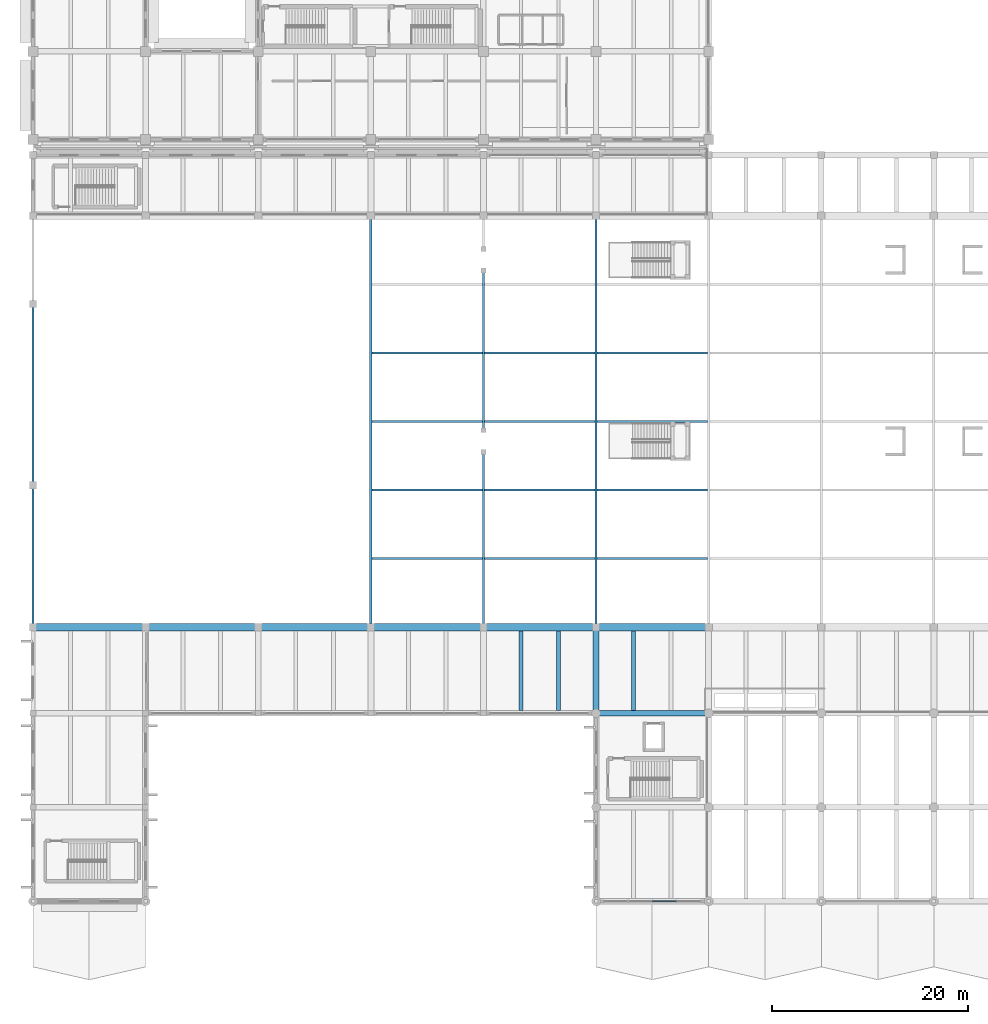
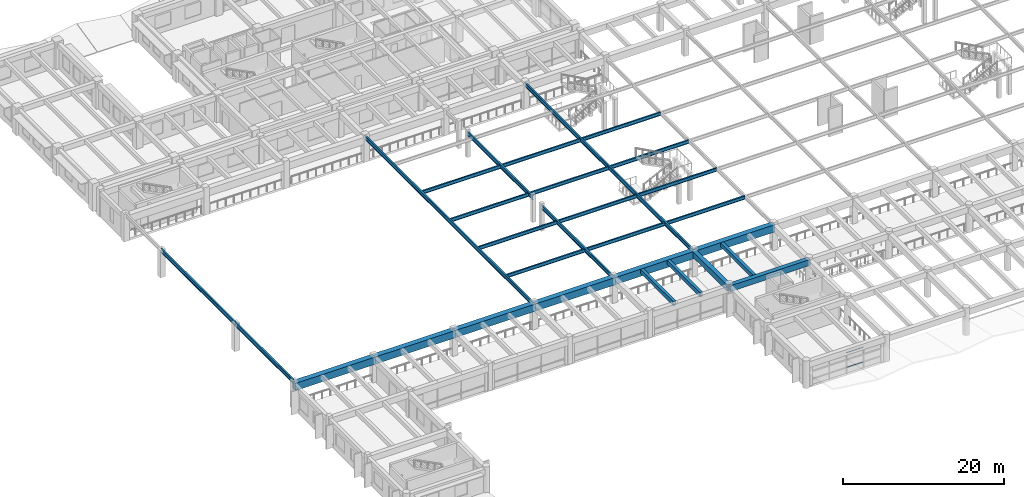
# One storey, part 15 of 98: 29 beams, 2 members, 1 element without a shape of its own.
"""IFC4 building model written with IfcOpenShell, lengths in metres."""

import ifcopenshell
import ifcopenshell.guid

model = None  # the IFC model being written
_history = None  # IfcOwnerHistory: only IFC2X3 demands one
_inside = {}  # id of a spatial element -> (the spatial element, [elements in it])
_under = {}  # id of a project, library or spatial element -> (it, [spatial elements below it])
_declared = {}  # id of a project -> (the project, [libraries it declares])
_typed = {}  # id of a type object -> (the type object, [elements of that type])
_made_of = {}  # id of a material, layer set ... -> (it, [elements and type objects made of it])


def new_model(schema):
    """Start an empty IFC model of exactly this schema.

    Asked for "IFC4X3", IfcOpenShell would pick the latest addendum, in which some entities
    have other attributes; the version numbers below select the first issue.
    IFC2X3 requires an IfcOwnerHistory on every rooted entity: one is made here for all.
    """
    global model, _history
    if schema == "IFC4X3":
        model = ifcopenshell.file(schema_version=(4, 3, 0, 0))
    else:
        model = ifcopenshell.file(schema=schema)
    _inside.clear()
    _under.clear()
    _declared.clear()
    _typed.clear()
    _made_of.clear()
    _history = None
    if model.schema == "IFC2X3":
        org = make("IfcOrganization", Name="unknown")
        user = make(
            "IfcPersonAndOrganization",
            ThePerson=make("IfcPerson", FamilyName="unknown"),
            TheOrganization=org,
        )
        app = make(
            "IfcApplication",
            ApplicationDeveloper=org,
            Version="unknown",
            ApplicationFullName="unknown",
            ApplicationIdentifier="unknown",
        )
        _history = make(
            "IfcOwnerHistory",
            OwningUser=user,
            OwningApplication=app,
            ChangeAction="ADDED",
            CreationDate=0,
        )
    return model


def make(cls, **values):
    """One entity of the class cls with the attributes given. An attribute that is None is left unset."""
    return model.create_entity(
        cls, **{name: value for name, value in values.items() if value is not None}
    )


def rooted(cls, **values):
    """An entity with a GlobalId (a new one), such as an element, a storey or a relation."""
    return make(cls, GlobalId=ifcopenshell.guid.new(), OwnerHistory=_history, **values)


def si_unit(unit_type, name, prefix=None):
    """IfcSIUnit, for example si_unit("LENGTHUNIT", "METRE", prefix="MILLI")."""
    return make("IfcSIUnit", UnitType=unit_type, Prefix=prefix, Name=name)


def assignment(units):
    """IfcUnitAssignment: the units of a project."""
    return None if units is None else make("IfcUnitAssignment", Units=units)


def point(xyz):
    """IfcCartesianPoint."""
    return None if xyz is None else make("IfcCartesianPoint", Coordinates=xyz)


def direction(xyz):
    """IfcDirection."""
    return None if xyz is None else make("IfcDirection", DirectionRatios=xyz)


def frame(location, z_axis=None, x_axis=None):
    """IfcAxis2Placement3D, a coordinate frame: its origin and axes. An axis left out is left unset."""
    return make(
        "IfcAxis2Placement3D",
        Location=point(location),
        Axis=direction(z_axis),
        RefDirection=direction(x_axis),
    )


def frame_2d(location, x_axis=None):
    """IfcAxis2Placement2D, a coordinate frame in the plane: its origin and x axis."""
    return make(
        "IfcAxis2Placement2D", Location=point(location), RefDirection=direction(x_axis)
    )


def origin():
    """The frame at (0, 0, 0) with its axes left unset."""
    return frame((0.0, 0.0, 0.0))


def origin_2d():
    """The frame at (0, 0) in the plane with its x axis left unset."""
    return frame_2d((0.0, 0.0))


def place(relative_to, where):
    """IfcLocalPlacement: puts the frame where relative to a parent placement (None: the world)."""
    return make(
        "IfcLocalPlacement", PlacementRelTo=relative_to, RelativePlacement=where
    )


def context(
    kind, dimensions, precision=None, world=None, true_north=None, identifier=None
):
    """IfcGeometricRepresentationContext, for example the 3D "Model" context."""
    return make(
        "IfcGeometricRepresentationContext",
        ContextIdentifier=identifier,
        ContextType=kind,
        CoordinateSpaceDimension=dimensions,
        Precision=precision,
        WorldCoordinateSystem=world,
        TrueNorth=true_north,
    )


def subcontext(parent, identifier, kind, view, scale=None):
    """IfcGeometricRepresentationSubContext, for example "Body" below "Model"."""
    return make(
        "IfcGeometricRepresentationSubContext",
        ContextIdentifier=identifier,
        ContextType=kind,
        ParentContext=parent,
        TargetScale=scale,
        TargetView=view,
    )


def project(units=None, contexts=None):
    """IfcProject with its units and contexts."""
    return rooted(
        "IfcProject",
        Name="project",
        RepresentationContexts=contexts,
        UnitsInContext=assignment(units),
    )


def spatial(cls, under=None, at=None, **own):
    """A site, building, storey or space (cls), placed at a placement, below another one or the project."""
    s = rooted(cls, ObjectPlacement=at, **own)
    if under is not None:
        _under.setdefault(under.id(), (under, []))[1].append(s)
    return s


def profile(cls, at=None, kind="AREA", **sizes):
    """A parametric profile (cls). Its sizes go by their IFC names, for example OverallWidth=200.0."""
    return make(cls, ProfileType=kind, Position=at, **sizes)


def rectangle(**sizes):
    """IfcRectangleProfileDef."""
    return profile("IfcRectangleProfileDef", **sizes)


def hollow_rectangle(**sizes):
    """IfcRectangleHollowProfileDef."""
    return profile("IfcRectangleHollowProfileDef", **sizes)


def i_section(**sizes):
    """IfcIShapeProfileDef."""
    return profile("IfcIShapeProfileDef", **sizes)


def extrude(swept, where, along, depth):
    """IfcExtrudedAreaSolid: the profile swept, set in the frame where, extruded along a direction by depth."""
    return make(
        "IfcExtrudedAreaSolid",
        SweptArea=swept,
        Position=where,
        ExtrudedDirection=direction(along),
        Depth=depth,
    )


def shape(context_of_items, identifier, shape_type, items):
    """IfcShapeRepresentation: the items that make up one representation, for example the "Body"."""
    return make(
        "IfcShapeRepresentation",
        ContextOfItems=context_of_items,
        RepresentationIdentifier=identifier,
        RepresentationType=shape_type,
        Items=items,
    )


def material(Name=None, Category=None):
    """IfcMaterial."""
    return make("IfcMaterial", Name=Name, Category=Category)


def material_profile(
    of_material, cross_section, Name=None, Category=None, Priority=None
):
    """IfcMaterialProfile: a cross section and its material."""
    return make(
        "IfcMaterialProfile",
        Name=Name,
        Material=of_material,
        Profile=cross_section,
        Priority=Priority,
        Category=Category,
    )


def profile_set(profiles, Name=None, composite=None):
    """IfcMaterialProfileSet."""
    return make(
        "IfcMaterialProfileSet",
        Name=Name,
        MaterialProfiles=profiles,
        CompositeProfile=composite,
    )


def made_of(thing, what):
    """Note that an element or type object is made of a material, layer set ...; save() writes the relation."""
    if what is not None:
        _made_of.setdefault(what.id(), (what, []))[1].append(thing)
    return thing


def type_object(cls, material=None, **own):
    """A type object (cls), such as IfcWallType, which elements share."""
    return made_of(rooted(cls, **own), material)


def element(
    cls,
    number,
    at=None,
    inside=None,
    cuts=None,
    type_object=None,
    material=None,
    context=None,
    identifier="Body",
    shape_type=None,
    held_by="IfcProductDefinitionShape",
    body=None,
    shapes=None,
    **own,
):
    """One element of the class cls, such as IfcWall. Its Tag is "e" and its number.

    at: its placement. inside: the storey or other place that contains it. cuts: it is an
    opening in that element (IfcRelVoidsElement). A single representation is given by context,
    identifier, shape_type and body (its items); several are given by shapes. held_by: the class
    of the entity that holds the representations. save() writes the other relations.
    """
    e = rooted(cls, Tag="e%d" % number, ObjectPlacement=at, **own)
    if body is not None:
        shapes = [shape(context, identifier, shape_type, body)]
    if shapes is not None:
        e.Representation = make(held_by, Representations=shapes)
    if inside is not None:
        _inside.setdefault(inside.id(), (inside, []))[1].append(e)
    if cuts is not None:
        rooted(
            "IfcRelVoidsElement", RelatingBuildingElement=cuts, RelatedOpeningElement=e
        )
    if type_object is not None:
        _typed.setdefault(type_object.id(), (type_object, []))[1].append(e)
    return made_of(e, material)


def aggregate(whole, parts):
    """IfcRelAggregates: a whole, such as a stair, and the parts it consists of."""
    return rooted("IfcRelAggregates", RelatingObject=whole, RelatedObjects=parts)


def save(model, path):
    """Write the relations noted so far, then the file.

    IfcRelAggregates (storeys below a building ...), IfcRelContainedInSpatialStructure (elements
    in a storey), IfcRelDefinesByType, IfcRelAssociatesMaterial and IfcRelDeclares: one each for
    every whole, place, type object, material and project.
    """
    for whole, parts in _under.values():
        aggregate(whole, parts)
    for where, things in _inside.values():
        rooted(
            "IfcRelContainedInSpatialStructure",
            RelatedElements=things,
            RelatingStructure=where,
        )
    for kind, things in _typed.values():
        rooted("IfcRelDefinesByType", RelatedObjects=things, RelatingType=kind)
    for what, things in _made_of.values():
        rooted("IfcRelAssociatesMaterial", RelatedObjects=things, RelatingMaterial=what)
    for by, libraries in _declared.values():
        rooted("IfcRelDeclares", RelatingContext=by, RelatedDefinitions=libraries)
    model.write(path)


model = new_model("IFC4")

# Units and contexts
model_context = context("Model", 3, precision=1e-05, world=origin(), true_north=direction((0.0, 1.0)))
body_context = subcontext(model_context, "Body", "Model", "MODEL_VIEW")
ifc_project = project(units=[si_unit("LENGTHUNIT", "METRE"), si_unit("AREAUNIT", "SQUARE_METRE"), si_unit("VOLUMEUNIT", "CUBIC_METRE"), si_unit("PLANEANGLEUNIT", "RADIAN"), si_unit("MASSUNIT", "GRAM", prefix="KILO")], contexts=[model_context])

# Site, building, storey
site_placement = place(None, origin())
site = spatial("IfcSite", under=ifc_project, at=site_placement, CompositionType="ELEMENT")
building_placement = place(site_placement, origin())
building = spatial("IfcBuilding", under=site, at=building_placement, Name="Ologun Quay Terminus", CompositionType="ELEMENT")
storey_placement = place(building_placement, frame((0.0, 0.0, 4.199951171875)))
storey = spatial("IfcBuildingStorey", under=building, at=storey_placement, Name="L01", CompositionType="ELEMENT", Elevation=4.199951171875)

# Beams
ifc_material_1 = material(Name="Concrete C45/55", Category="concrete")
ifc_material_profile_1 = material_profile(ifc_material_1, rectangle(XDim=0.75, YDim=1.10009765625, at=origin_2d()), Name="RC 750x1100")
ifc_profile_set_1 = profile_set([ifc_material_profile_1], Name="Concrete C45/55")
beam_type_1 = type_object("IfcBeamType", Name="Concourse Primary Girder 750x1100", PredefinedType="BEAM", material=ifc_profile_set_1)
for number, where, z_axis, x_axis, name in (
    (1, (0.0, 36.0, 3.300048828125), (1.0, 0.0, 0.0), (0.0, 1.0, 0.0), "B2 Beam 1/E L01"),
    (2, (11.5, 36.0, 3.300048828125), (1.0, 0.0, 0.0), (0.0, 1.0, 0.0), "B2 Beam 2/E L01"),
    (3, (23.0, 36.0, 3.300048828125), (1.0, 0.0, 0.0), (0.0, 1.0, 0.0), "B2 Beam 3/E L01"),
    (4, (34.5, 36.0, 3.300048828125), (1.0, 0.0, 0.0), (0.0, 1.0, 0.0), "B2 Beam 4/E L01"),
    (5, (46.0, 36.0, 3.300048828125), (1.0, 0.0, 0.0), (0.0, 1.0, 0.0), "B2 Beam 5/E L01"),
    (6, (57.5, 36.0, 3.300048828125), (1.0, 0.0, 0.0), (0.0, 1.0, 0.0), "B2 Beam 6/E L01"),
):
    element("IfcBeam", number, at=place(storey_placement, frame(where, z_axis=z_axis, x_axis=x_axis)), inside=storey, type_object=beam_type_1, Name=name, PredefinedType="BEAM", context=body_context, shape_type="SweptSolid", body=[
        extrude(rectangle(XDim=0.75, YDim=1.10009765625, at=origin_2d()), origin(), (0.0, 0.0, 1.0), 11.5),
    ])
ifc_material_2 = material(Name="Steel S355", Category="steel")
ifc_material_profile_2 = material_profile(ifc_material_2, i_section(OverallWidth=0.209228515625, OverallDepth=0.533203125, WebThickness=0.010009765625, FlangeThickness=0.015625, at=origin_2d()), Name="UKB 533x210x92")
ifc_profile_set_2 = profile_set([ifc_material_profile_2], Name="Steel S355")
beam_type_2 = type_object("IfcBeamType", Name="Concourse Steel Secondary Beam UKB533", PredefinedType="BEAM", material=ifc_profile_set_2)
for number, where, z_axis, x_axis, name in (
    (7, (34.614013671875, 43.0, 3.58349609375), (1.0, 0.0, 0.0), (0.0, 1.0, 0.0), "SB2 Beam 4/E L01"),
    (8, (34.614013671875, 50.0, 3.58349609375), (1.0, 0.0, 0.0), (0.0, 1.0, 0.0), "SB2 Beam 4/E L01"),
    (9, (34.614013671875, 57.0, 3.58349609375), (1.0, 0.0, 0.0), (0.0, 1.0, 0.0), "SB2 Beam 4/E L01"),
    (10, (34.614013671875, 64.0, 3.58349609375), (1.0, 0.0, 0.0), (0.0, 1.0, 0.0), "SB2 Beam 4/E L01"),
    (11, (46.114013671875, 43.0, 3.58349609375), (1.0, 0.0, 0.0), (0.0, 1.0, 0.0), "SB2 Beam 5/E L01"),
    (12, (46.114013671875, 50.0, 3.58349609375), (1.0, 0.0, 0.0), (0.0, 1.0, 0.0), "SB2 Beam 5/E L01"),
    (13, (46.114013671875, 57.0, 3.58349609375), (1.0, 0.0, 0.0), (0.0, 1.0, 0.0), "SB2 Beam 5/E L01"),
    (14, (46.114013671875, 64.0, 3.58349609375), (1.0, 0.0, 0.0), (0.0, 1.0, 0.0), "SB2 Beam 5/E L01"),
    (15, (57.614013671875, 43.0, 3.58349609375), (1.0, 0.0, 0.0), (0.0, 1.0, 0.0), "SB2 Beam 6/E L01"),
    (16, (57.614013671875, 50.0, 3.58349609375), (1.0, 0.0, 0.0), (0.0, 1.0, 0.0), "SB2 Beam 6/E L01"),
    (17, (57.614013671875, 57.0, 3.58349609375), (1.0, 0.0, 0.0), (0.0, 1.0, 0.0), "SB2 Beam 6/E L01"),
    (18, (57.614013671875, 64.0, 3.58349609375), (1.0, 0.0, 0.0), (0.0, 1.0, 0.0), "SB2 Beam 6/E L01"),
):
    element("IfcBeam", number, at=place(storey_placement, frame(where, z_axis=z_axis, x_axis=x_axis)), inside=storey, type_object=beam_type_2, Name=name, PredefinedType="BEAM", context=body_context, shape_type="SweptSolid", body=[
        extrude(i_section(OverallWidth=0.209228515625, OverallDepth=0.533203125, WebThickness=0.010009765625, FlangeThickness=0.015625, at=origin_2d()), origin(), (0.0, 0.0, 1.0), 11.27197265625),
    ])
ifc_material_3 = material(Name="Steel S355", Category="steel")
ifc_material_profile_3 = material_profile(ifc_material_3, i_section(OverallWidth=0.228271484375, OverallDepth=0.607666015625, WebThickness=0.010986328125, FlangeThickness=0.017333984375, at=origin_2d()), Name="UKB 610x229x113")
ifc_profile_set_3 = profile_set([ifc_material_profile_3], Name="Steel S355")
beam_type_3 = type_object("IfcBeamType", Name="Concourse Steel Spine Girder UKB610", PredefinedType="BEAM", material=ifc_profile_set_3)
beam_1_placement = place(storey_placement, frame((0.0, 36.0, 3.896240234375), z_axis=(0.0, 1.0, 0.0), x_axis=(-1.0, 0.0, 0.0)))
element("IfcBeam", 19, at=beam_1_placement, inside=storey, type_object=beam_type_3, Name="SB1 Beam 1/E L01", PredefinedType="BEAM", context=body_context, shape_type="SweptSolid", body=[
    extrude(i_section(OverallWidth=0.228271484375, OverallDepth=0.607666015625, WebThickness=0.010986328125, FlangeThickness=0.017333984375, at=origin_2d()), origin(), (0.0, 0.0, 1.0), 14.5),
])
beam_2_placement = place(storey_placement, frame((0.0, 50.5, 3.896240234375), z_axis=(0.0, 1.0, 0.0), x_axis=(-1.0, 0.0, 0.0)))
element("IfcBeam", 20, at=beam_2_placement, inside=storey, type_object=beam_type_3, Name="SB1 Beam 1/E L01", PredefinedType="BEAM", context=body_context, shape_type="SweptSolid", body=[
    extrude(i_section(OverallWidth=0.228271484375, OverallDepth=0.607666015625, WebThickness=0.010986328125, FlangeThickness=0.017333984375, at=origin_2d()), origin(), (0.0, 0.0, 1.0), 18.5),
])
beam_3_placement = place(storey_placement, frame((34.5, 36.0, 3.546142578125), z_axis=(0.0, 1.0, 0.0), x_axis=(-1.0, 0.0, 0.0)))
element("IfcBeam", 21, at=beam_3_placement, inside=storey, type_object=beam_type_3, Name="SB1 Beam 4/E L01", PredefinedType="BEAM", context=body_context, shape_type="SweptSolid", body=[
    extrude(i_section(OverallWidth=0.228271484375, OverallDepth=0.607666015625, WebThickness=0.010986328125, FlangeThickness=0.017333984375, at=origin_2d()), origin(), (0.0, 0.0, 1.0), 42.0),
])
beam_4_placement = place(storey_placement, frame((46.0, 36.0, 3.546142578125), z_axis=(0.0, 1.0, 0.0), x_axis=(-1.0, 0.0, 0.0)))
element("IfcBeam", 22, at=beam_4_placement, inside=storey, type_object=beam_type_3, Name="SB1 Beam 5/E L01", PredefinedType="BEAM", context=body_context, shape_type="SweptSolid", body=[
    extrude(i_section(OverallWidth=0.228271484375, OverallDepth=0.607666015625, WebThickness=0.010986328125, FlangeThickness=0.017333984375, at=origin_2d()), origin(), (0.0, 0.0, 1.0), 17.89990234375),
])
beam_5_placement = place(storey_placement, frame((46.0, 56.10009765625, 3.546142578125), z_axis=(0.0, 1.0, 0.0), x_axis=(-1.0, 0.0, 0.0)))
element("IfcBeam", 23, at=beam_5_placement, inside=storey, type_object=beam_type_3, Name="SB1 Beam 5/E L01", PredefinedType="BEAM", context=body_context, shape_type="SweptSolid", body=[
    extrude(i_section(OverallWidth=0.228271484375, OverallDepth=0.607666015625, WebThickness=0.010986328125, FlangeThickness=0.017333984375, at=origin_2d()), origin(), (0.0, 0.0, 1.0), 16.2998046875),
])
beam_6_placement = place(storey_placement, frame((57.5, 36.0, 3.546142578125), z_axis=(0.0, 1.0, 0.0), x_axis=(-1.0, 0.0, 0.0)))
element("IfcBeam", 24, at=beam_6_placement, inside=storey, type_object=beam_type_3, Name="SB1 Beam 6/E L01", PredefinedType="BEAM", context=body_context, shape_type="SweptSolid", body=[
    extrude(i_section(OverallWidth=0.228271484375, OverallDepth=0.607666015625, WebThickness=0.010986328125, FlangeThickness=0.017333984375, at=origin_2d()), origin(), (0.0, 0.0, 1.0), 42.0),
])

# Curtain wall, members
ifc_material_4 = material(Name="Aluminium 6063-T6", Category="aluminium")
curtain_wall_type = type_object("IfcCurtainWallType", Name="Ticket Hall Upper Portal Curtain Wall 10700x3800", PredefinedType="USERDEFINED", material=ifc_material_4)
curtain_wall_placement = place(storey_placement, origin())
curtain_wall = element("IfcCurtainWall", 25, at=curtain_wall_placement, inside=storey, type_object=curtain_wall_type, Name="CW-02 Curtain Wall CW-L01-014", ObjectType="UNITISED CURTAIN WALL", PredefinedType="USERDEFINED")
ifc_material_5 = material(Name="Aluminium 6063-T6", Category="aluminium")
ifc_material_profile_4 = material_profile(ifc_material_5, hollow_rectangle(XDim=0.06005859375, YDim=0.1298828125, WallThickness=0.00390625, at=origin_2d()), Name="ALU 130x60x4")
ifc_profile_set_4 = profile_set([ifc_material_profile_4], Name="Aluminium 6063-T6")
member_type = type_object("IfcMemberType", Name="Curtain Wall Heavy Transom 130x60", PredefinedType="USERDEFINED", material=ifc_profile_set_4)
member_1_placement = place(storey_placement, frame((63.25, 8.0, 0.900146484375), z_axis=(1.0, 0.0, 0.0), x_axis=(0.0, 1.0, 0.0)))
member_1 = element("IfcMember", 26, at=member_1_placement, type_object=member_type, Name="CW-L01-014 Transom B3-1", ObjectType="TRANSOM", PredefinedType="USERDEFINED", context=body_context, shape_type="SweptSolid", body=[
    extrude(hollow_rectangle(XDim=0.06005859375, YDim=0.1298828125, WallThickness=0.00390625, at=origin_2d()), origin(), (0.0, 0.0, 1.0), 2.465087890625),
])
member_2_placement = place(storey_placement, frame((63.25, 8.0, 3.14013671875), z_axis=(1.0, 0.0, 0.0), x_axis=(0.0, 1.0, 0.0)))
member_2 = element("IfcMember", 27, at=member_2_placement, type_object=member_type, Name="CW-L01-014 Transom B3-2", ObjectType="TRANSOM", PredefinedType="USERDEFINED", context=body_context, shape_type="SweptSolid", body=[
    extrude(hollow_rectangle(XDim=0.06005859375, YDim=0.1298828125, WallThickness=0.00390625, at=origin_2d()), origin(), (0.0, 0.0, 1.0), 2.465087890625),
])
aggregate(curtain_wall, [member_1, member_2])

# Beams
ifc_material_6 = material(Name="Concrete C40/50", Category="concrete")
ifc_material_profile_5 = material_profile(ifc_material_6, rectangle(XDim=0.60009765625, YDim=0.89990234375, at=origin_2d()), Name="RC 600x900")
ifc_profile_set_5 = profile_set([ifc_material_profile_5], Name="Concrete C40/50")
beam_type_4 = type_object("IfcBeamType", Name="Station Frame Girder 600x900", PredefinedType="BEAM", material=ifc_profile_set_5)
beam_7_placement = place(storey_placement, frame((57.5, 27.199951171875, 3.400146484375), z_axis=(1.0, 0.0, 0.0), x_axis=(0.0, 1.0, 0.0)))
element("IfcBeam", 28, at=beam_7_placement, inside=storey, type_object=beam_type_4, Name="B3 Beam 6/D L01", PredefinedType="BEAM", context=body_context, shape_type="SweptSolid", body=[
    extrude(rectangle(XDim=0.60009765625, YDim=0.89990234375, at=origin_2d()), origin(), (0.0, 0.0, 1.0), 11.5),
])
beam_8_placement = place(storey_placement, frame((57.5, 27.199951171875, 3.400146484375), z_axis=(0.0, 1.0, 0.0), x_axis=(-1.0, 0.0, 0.0)))
element("IfcBeam", 29, at=beam_8_placement, inside=storey, type_object=beam_type_4, Name="B3 Beam 6/D L01", PredefinedType="BEAM", context=body_context, shape_type="SweptSolid", body=[
    extrude(rectangle(XDim=0.60009765625, YDim=0.89990234375, at=origin_2d()), origin(), (0.0, 0.0, 1.0), 8.800048828125),
])
ifc_material_7 = material(Name="Concrete C40/50", Category="concrete")
ifc_material_profile_6 = material_profile(ifc_material_7, rectangle(XDim=0.39990234375, YDim=0.64990234375, at=origin_2d()), Name="RC 400x650")
ifc_profile_set_6 = profile_set([ifc_material_profile_6], Name="Concrete C40/50")
beam_type_5 = type_object("IfcBeamType", Name="Station Secondary Joist 400x650", PredefinedType="JOIST", material=ifc_profile_set_6)
for number, where, z_axis, x_axis, name in (
    (30, (49.833251953125, 27.5, 3.525146484375), (0.0, 1.0, 0.0), (-1.0, 0.0, 0.0), "J1 Beam 5/D L01"),
    (31, (53.666748046875, 27.5, 3.525146484375), (0.0, 1.0, 0.0), (-1.0, 0.0, 0.0), "J1 Beam 5/D L01"),
    (32, (61.333251953125, 27.5, 3.525146484375), (0.0, 1.0, 0.0), (-1.0, 0.0, 0.0), "J1 Beam 6/D L01"),
):
    element("IfcBeam", number, at=place(storey_placement, frame(where, z_axis=z_axis, x_axis=x_axis)), inside=storey, type_object=beam_type_5, Name=name, PredefinedType="JOIST", context=body_context, shape_type="SweptSolid", body=[
        extrude(rectangle(XDim=0.39990234375, YDim=0.64990234375, at=origin_2d()), origin(), (0.0, 0.0, 1.0), 8.125),
    ])

save(model, "model.ifc")
